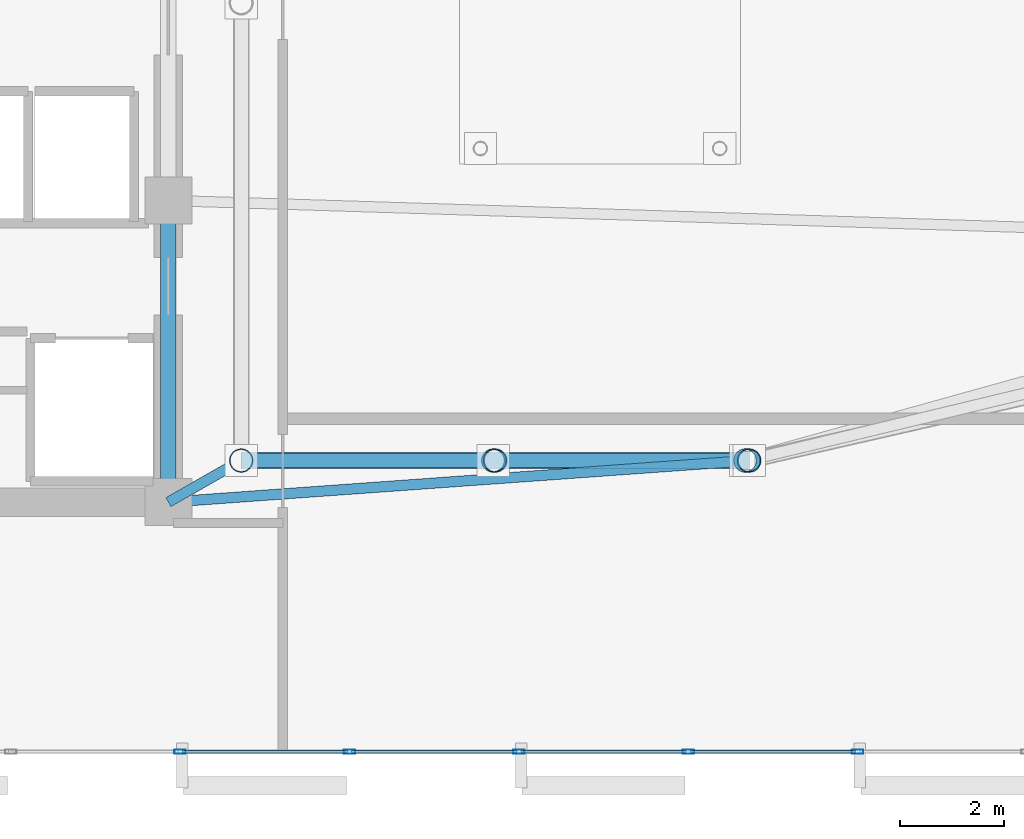
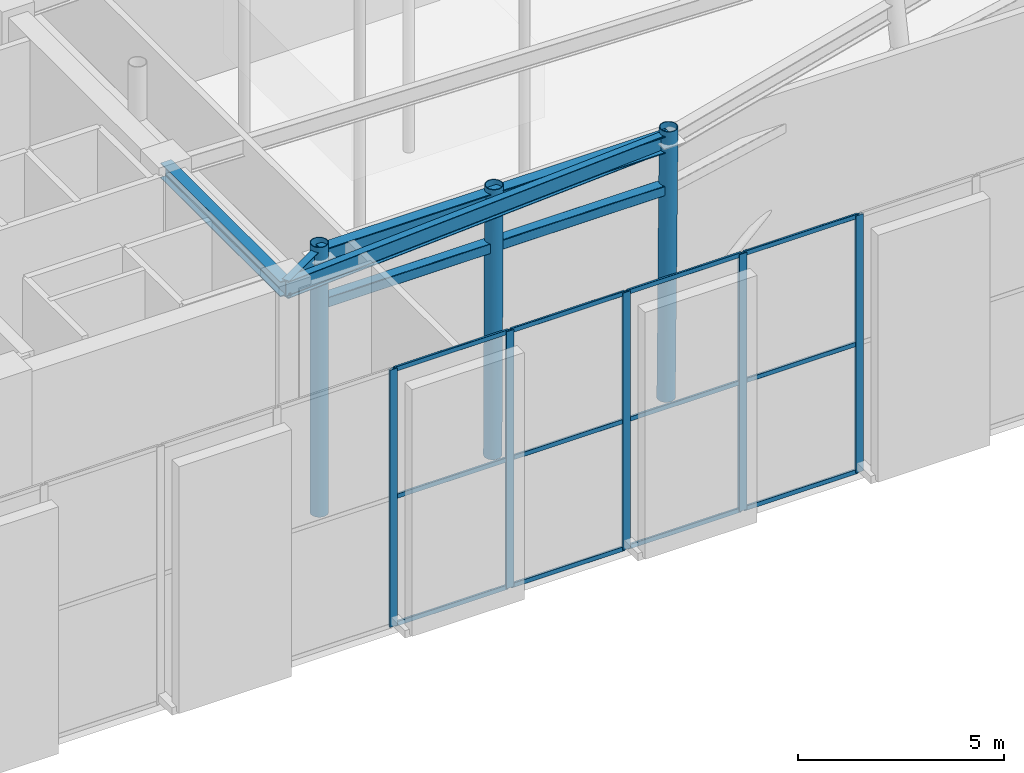
# One storey, part 5 of 22: 21 members, 4 beams, 1 element without a shape of its own.
"""IFC4 building model written with IfcOpenShell, lengths in metres."""

from ifc_helpers import new_model, si_unit, direction, frame, origin, origin_2d, place, context, subcontext, project, spatial, hollow_rectangle, hollow_circle, i_section, extrude, material, layer, layer_set, material_profile, profile_set, type_object, element, aggregate, save


model = new_model("IFC4")

# Units and contexts
model_context = context("Model", 3, precision=1e-05, world=origin(), true_north=direction((0.0, 1.0)))
body_context = subcontext(model_context, "Body", "Model", "MODEL_VIEW")
ifc_project = project(units=[si_unit("LENGTHUNIT", "METRE"), si_unit("AREAUNIT", "SQUARE_METRE"), si_unit("VOLUMEUNIT", "CUBIC_METRE"), si_unit("PLANEANGLEUNIT", "RADIAN"), si_unit("MASSUNIT", "GRAM", prefix="KILO")], contexts=[model_context])

# Site, building, storey
site_placement = place(None, origin())
site = spatial("IfcSite", under=ifc_project, at=site_placement, CompositionType="ELEMENT")
building_placement = place(site_placement, origin())
building = spatial("IfcBuilding", under=site, at=building_placement, Name="An Khanh Terracotta Commons", CompositionType="ELEMENT")
storey_placement = place(building_placement, frame((0.0, 0.0, 300.39990234375)))
storey = spatial("IfcBuildingStorey", under=building, at=storey_placement, Name="L78 Crown Damper Chamber", CompositionType="ELEMENT", Elevation=300.39990234375)

# Beams
ifc_material_1 = material(Name="Steel S355J2", Category="steel")
ifc_material_profile_1 = material_profile(ifc_material_1, i_section(OverallWidth=0.300048828125, OverallDepth=0.449951171875, WebThickness=0.013916015625, FlangeThickness=0.02587890625, FilletRadius=0.027099609375, at=origin_2d()), Name="HEB450")
ifc_profile_set_1 = profile_set([ifc_material_profile_1], Name="Steel S355J2")
beam_type_1 = type_object("IfcBeamType", Name="BM-HEB450", PredefinedType="BEAM", material=ifc_profile_set_1)
beam_1_placement = place(storey_placement, frame((37.199951171875, 14.39990234375, 7.155029296875), z_axis=(0.0, 1.0, 0.0), x_axis=(-1.0, 0.0, 0.0)))
element("IfcBeam", 1, at=beam_1_placement, inside=storey, type_object=beam_type_1, Name="L78 Crown Damper Chamber Core East Coupling Girder 1", PredefinedType="BEAM", context=body_context, shape_type="SweptSolid", body=[
    extrude(i_section(OverallWidth=0.300048828125, OverallDepth=0.449951171875, WebThickness=0.013916015625, FlangeThickness=0.02587890625, FilletRadius=0.027099609375, at=origin_2d()), origin(), (0.0, 0.0, 1.0), 5.800048828125),
])
ifc_material_profile_2 = material_profile(ifc_material_1, i_section(OverallWidth=0.300048828125, OverallDepth=0.5, WebThickness=0.014404296875, FlangeThickness=0.028076171875, FilletRadius=0.027099609375, at=origin_2d()), Name="HEB500")
ifc_profile_set_2 = profile_set([ifc_material_profile_2], Name="Steel S355J2")
beam_type_2 = type_object("IfcBeamType", Name="BM-HEB500", PredefinedType="BEAM", material=ifc_profile_set_2)
beam_2_placement = place(storey_placement, frame((38.60009765625, 15.199951171875, 7.130126953125), z_axis=(1.0, 0.0, 0.0), x_axis=(0.0, 1.0, 0.0)))
element("IfcBeam", 2, at=beam_2_placement, inside=storey, type_object=beam_type_2, Name="L78 Crown Damper Chamber CROWN FRAME Ring Beam 1", PredefinedType="BEAM", context=body_context, shape_type="SweptSolid", body=[
    extrude(i_section(OverallWidth=0.300048828125, OverallDepth=0.5, WebThickness=0.014404296875, FlangeThickness=0.028076171875, FilletRadius=0.027099609375, at=origin_2d()), origin(), (0.0, 0.0, 1.0), 9.77001953125),
])
ifc_material_profile_3 = material_profile(ifc_material_1, i_section(OverallWidth=0.199951171875, OverallDepth=0.5, WebThickness=0.01025390625, FlangeThickness=0.01611328125, FilletRadius=0.02099609375, at=origin_2d()), Name="IPE500")
ifc_profile_set_3 = profile_set([ifc_material_profile_3], Name="Steel S355J2")
beam_type_3 = type_object("IfcBeamType", Name="BM-IPE500", PredefinedType="BEAM", material=ifc_profile_set_3)
beam_3_placement = place(storey_placement, frame((37.199951171875, 14.39990234375, 7.130126953125), z_axis=(0.86825245861, 0.496122634152, 0.0), x_axis=(-0.496122634152, 0.86825245861, 0.0)))
element("IfcBeam", 3, at=beam_3_placement, inside=storey, type_object=beam_type_3, Name="L78 Crown Damper Chamber Crown Radial Tie Beam 1", PredefinedType="BEAM", context=body_context, shape_type="SweptSolid", body=[
    extrude(i_section(OverallWidth=0.199951171875, OverallDepth=0.5, WebThickness=0.01025390625, FlangeThickness=0.01611328125, FilletRadius=0.02099609375, at=origin_2d()), origin(), (0.0, 0.0, 1.0), 1.612548828125),
])
beam_4_placement = place(storey_placement, frame((37.199951171875, 14.39990234375, 7.130126953125), z_axis=(0.997444848135, 0.071440709185, 0.0), x_axis=(-0.071440709185, 0.997444848135, 0.0)))
element("IfcBeam", 4, at=beam_4_placement, inside=storey, type_object=beam_type_3, Name="L78 Crown Damper Chamber Crown Radial Tie Beam 2", PredefinedType="BEAM", context=body_context, shape_type="SweptSolid", body=[
    extrude(i_section(OverallWidth=0.199951171875, OverallDepth=0.5, WebThickness=0.01025390625, FlangeThickness=0.01611328125, FilletRadius=0.02099609375, at=origin_2d()), origin(), (0.0, 0.0, 1.0), 11.19873046875),
])

# Members
ifc_material_2 = material(Name="Steel S460ML", Category="steel")
ifc_material_profile_4 = material_profile(ifc_material_2, hollow_circle(Radius=0.228515625, WallThickness=0.02001953125, at=origin_2d()), Name="CHS457x20")
ifc_profile_set_4 = profile_set([ifc_material_profile_4], Name="Steel S460ML")
member_type_1 = type_object("IfcMemberType", Name="CROWN FRAME RIB CHS457", PredefinedType="STRUT", material=ifc_profile_set_4)
for number, where, z_axis, x_axis, name in (
    (5, (38.60009765625, 15.199951171875, -0.449951171875), (0.0, 0.0, 1.0), (1.0, 0.0, 0.0), "L78 Crown Damper Chamber CROWN FRAME Corner Raking Rib 1"),
    (6, (43.448974609375, 15.199951171875, -0.449951171875), (0.004533572647, 0.0, 0.999989723307), (0.0, 1.0, 0.0), "L78 Crown Damper Chamber CROWN FRAME Facet Strut 1"),
):
    element("IfcMember", number, at=place(storey_placement, frame(where, z_axis=z_axis, x_axis=x_axis)), inside=storey, type_object=member_type_1, Name=name, PredefinedType="STRUT", context=body_context, shape_type="SweptSolid", body=[
        extrude(hollow_circle(Radius=0.228515625, WallThickness=0.02001953125, at=origin_2d()), origin(), (0.0, 0.0, 1.0), 7.969970703125),
    ])
member_1_placement = place(storey_placement, frame((48.298095703125, 15.199951171875, -0.449951171875), z_axis=(0.009036236969, 0.0, 0.999959172377), x_axis=(0.0, 1.0, 0.0)))
element("IfcMember", 7, at=member_1_placement, inside=storey, type_object=member_type_1, Name="L78 Crown Damper Chamber CROWN FRAME Corner Raking Rib 2", PredefinedType="STRUT", context=body_context, shape_type="SweptSolid", body=[
    extrude(hollow_circle(Radius=0.228515625, WallThickness=0.02001953125, at=origin_2d()), origin(), (0.0, 0.0, 1.0), 7.97021484375),
])
ifc_material_profile_5 = material_profile(ifc_material_2, hollow_rectangle(XDim=0.300048828125, YDim=0.300048828125, WallThickness=0.01611328125, InnerFilletRadius=0.01611328125, OuterFilletRadius=0.031982421875, at=origin_2d()), Name="SHS300x300x16")
ifc_profile_set_5 = profile_set([ifc_material_profile_5], Name="Steel S460ML")
member_type_2 = type_object("IfcMemberType", Name="CROWN FRAME RING SHS300", PredefinedType="CHORD", material=ifc_profile_set_5)
member_2_placement = place(storey_placement, frame((38.60009765625, 15.199951171875, 5.76708984375), z_axis=(1.0, 0.0, 0.0), x_axis=(0.0, 1.0, 0.0)))
element("IfcMember", 8, at=member_2_placement, inside=storey, type_object=member_type_2, Name="L78 Crown Damper Chamber CROWN FRAME Sill Ring Chord 1", PredefinedType="CHORD", context=body_context, shape_type="SweptSolid", body=[
    extrude(hollow_rectangle(XDim=0.300048828125, YDim=0.300048828125, WallThickness=0.01611328125, InnerFilletRadius=0.01611328125, OuterFilletRadius=0.031982421875, at=origin_2d()), origin(), (0.0, 0.0, 1.0), 9.75390625),
])

# Curtain wall, members
ifc_material_3 = material(Name="Anodised Aluminium 6063-T6", Category="aluminium")
ifc_layer = layer(ifc_material_3, 0.25, Name="Anodised Aluminium 6063-T6")
ifc_layer_set = layer_set([ifc_layer], Name="Anodised Aluminium 6063-T6")
curtain_wall_type = type_object("IfcCurtainWallType", Name="CW-SYS-05", PredefinedType="USERDEFINED", material=ifc_layer_set)
curtain_wall_placement = place(storey_placement, origin())
curtain_wall = element("IfcCurtainWall", 9, at=curtain_wall_placement, inside=storey, type_object=curtain_wall_type, Name="L78 Crown Damper Chamber CW-05 Unitised Curtain Wall CW-L78-04", ObjectType="UNITISED CURTAIN WALL", PredefinedType="USERDEFINED")
ifc_material_profile_6 = material_profile(ifc_material_3, hollow_rectangle(XDim=0.080078125, YDim=0.219970703125, WallThickness=0.0048828125, InnerFilletRadius=0.0048828125, OuterFilletRadius=0.010009765625, at=origin_2d()), Name="RHS220x80x5")
ifc_profile_set_6 = profile_set([ifc_material_profile_6], Name="Anodised Aluminium 6063-T6")
member_type_3 = type_object("IfcMemberType", Name="CWM-RHS220x80x5", PredefinedType="MULLION", material=ifc_profile_set_6)
member_3_placement = place(storey_placement, frame((37.42724609375, 9.60009765625, 0.0), z_axis=(0.0, 0.0, 1.0), x_axis=(0.0, 1.0, 0.0)))
member_3 = element("IfcMember", 10, at=member_3_placement, type_object=member_type_3, Name="CW-05 mullion 5", PredefinedType="MULLION", context=body_context, shape_type="SweptSolid", body=[
    extrude(hollow_rectangle(XDim=0.080078125, YDim=0.219970703125, WallThickness=0.0048828125, InnerFilletRadius=0.0048828125, OuterFilletRadius=0.010009765625, at=origin_2d()), origin(), (0.0, 0.0, 1.0), 7.60009765625),
])
member_4_placement = place(storey_placement, frame((40.68408203125, 9.60009765625, 0.0), z_axis=(0.0, 0.0, 1.0), x_axis=(0.0, 1.0, 0.0)))
member_4 = element("IfcMember", 11, at=member_4_placement, type_object=member_type_3, Name="CW-05 mullion 6", PredefinedType="MULLION", context=body_context, shape_type="SweptSolid", body=[
    extrude(hollow_rectangle(XDim=0.080078125, YDim=0.219970703125, WallThickness=0.0048828125, InnerFilletRadius=0.0048828125, OuterFilletRadius=0.010009765625, at=origin_2d()), origin(), (0.0, 0.0, 1.0), 7.60009765625),
])
member_5_placement = place(storey_placement, frame((43.94091796875, 9.60009765625, 0.0), z_axis=(0.0, 0.0, 1.0), x_axis=(0.0, 1.0, 0.0)))
member_5 = element("IfcMember", 12, at=member_5_placement, type_object=member_type_3, Name="CW-05 mullion 7", PredefinedType="MULLION", context=body_context, shape_type="SweptSolid", body=[
    extrude(hollow_rectangle(XDim=0.080078125, YDim=0.219970703125, WallThickness=0.0048828125, InnerFilletRadius=0.0048828125, OuterFilletRadius=0.010009765625, at=origin_2d()), origin(), (0.0, 0.0, 1.0), 7.60009765625),
])
member_6_placement = place(storey_placement, frame((47.19775390625, 9.60009765625, 0.0), z_axis=(0.0, 0.0, 1.0), x_axis=(0.0, 1.0, 0.0)))
member_6 = element("IfcMember", 13, at=member_6_placement, type_object=member_type_3, Name="CW-05 mullion 8", PredefinedType="MULLION", context=body_context, shape_type="SweptSolid", body=[
    extrude(hollow_rectangle(XDim=0.080078125, YDim=0.219970703125, WallThickness=0.0048828125, InnerFilletRadius=0.0048828125, OuterFilletRadius=0.010009765625, at=origin_2d()), origin(), (0.0, 0.0, 1.0), 7.60009765625),
])
member_7_placement = place(storey_placement, frame((50.45458984375, 9.60009765625, 0.0), z_axis=(0.0, 0.0, 1.0), x_axis=(0.0, 1.0, 0.0)))
member_7 = element("IfcMember", 14, at=member_7_placement, type_object=member_type_3, Name="CW-05 mullion 9", PredefinedType="MULLION", context=body_context, shape_type="SweptSolid", body=[
    extrude(hollow_rectangle(XDim=0.080078125, YDim=0.219970703125, WallThickness=0.0048828125, InnerFilletRadius=0.0048828125, OuterFilletRadius=0.010009765625, at=origin_2d()), origin(), (0.0, 0.0, 1.0), 7.60009765625),
])
ifc_material_profile_7 = material_profile(ifc_material_3, hollow_rectangle(XDim=0.06005859375, YDim=0.135009765625, WallThickness=0.003662109375, InnerFilletRadius=0.003662109375, OuterFilletRadius=0.007080078125, at=origin_2d()), Name="RHS135x60x3.6")
ifc_profile_set_7 = profile_set([ifc_material_profile_7], Name="Anodised Aluminium 6063-T6")
member_type_4 = type_object("IfcMemberType", Name="CWT-RHS135x60x3.6", PredefinedType="USERDEFINED", material=ifc_profile_set_7)
member_8_placement = place(storey_placement, frame((37.46728515625, 9.60009765625, 0.030029296875), z_axis=(1.0, 0.0, 0.0), x_axis=(0.0, 1.0, 0.0)))
member_8 = element("IfcMember", 15, at=member_8_placement, type_object=member_type_4, Name="CW-05 transom 5.1", ObjectType="TRANSOM", PredefinedType="USERDEFINED", context=body_context, shape_type="SweptSolid", body=[
    extrude(hollow_rectangle(XDim=0.06005859375, YDim=0.135009765625, WallThickness=0.003662109375, InnerFilletRadius=0.003662109375, OuterFilletRadius=0.007080078125, at=origin_2d()), origin(), (0.0, 0.0, 1.0), 3.1767578125),
])
member_9_placement = place(storey_placement, frame((37.46728515625, 9.60009765625, 3.800048828125), z_axis=(1.0, 0.0, 0.0), x_axis=(0.0, 1.0, 0.0)))
member_9 = element("IfcMember", 16, at=member_9_placement, type_object=member_type_4, Name="CW-05 transom 5.2", ObjectType="TRANSOM", PredefinedType="USERDEFINED", context=body_context, shape_type="SweptSolid", body=[
    extrude(hollow_rectangle(XDim=0.06005859375, YDim=0.135009765625, WallThickness=0.003662109375, InnerFilletRadius=0.003662109375, OuterFilletRadius=0.007080078125, at=origin_2d()), origin(), (0.0, 0.0, 1.0), 3.1767578125),
])
member_10_placement = place(storey_placement, frame((37.46728515625, 9.60009765625, 7.570068359375), z_axis=(1.0, 0.0, 0.0), x_axis=(0.0, 1.0, 0.0)))
member_10 = element("IfcMember", 17, at=member_10_placement, type_object=member_type_4, Name="CW-05 transom 5.3", ObjectType="TRANSOM", PredefinedType="USERDEFINED", context=body_context, shape_type="SweptSolid", body=[
    extrude(hollow_rectangle(XDim=0.06005859375, YDim=0.135009765625, WallThickness=0.003662109375, InnerFilletRadius=0.003662109375, OuterFilletRadius=0.007080078125, at=origin_2d()), origin(), (0.0, 0.0, 1.0), 3.1767578125),
])
member_11_placement = place(storey_placement, frame((40.72412109375, 9.60009765625, 0.030029296875), z_axis=(1.0, 0.0, 0.0), x_axis=(0.0, 1.0, 0.0)))
member_11 = element("IfcMember", 18, at=member_11_placement, type_object=member_type_4, Name="CW-05 transom 6.1", ObjectType="TRANSOM", PredefinedType="USERDEFINED", context=body_context, shape_type="SweptSolid", body=[
    extrude(hollow_rectangle(XDim=0.06005859375, YDim=0.135009765625, WallThickness=0.003662109375, InnerFilletRadius=0.003662109375, OuterFilletRadius=0.007080078125, at=origin_2d()), origin(), (0.0, 0.0, 1.0), 3.1767578125),
])
member_12_placement = place(storey_placement, frame((40.72412109375, 9.60009765625, 3.800048828125), z_axis=(1.0, 0.0, 0.0), x_axis=(0.0, 1.0, 0.0)))
member_12 = element("IfcMember", 19, at=member_12_placement, type_object=member_type_4, Name="CW-05 transom 6.2", ObjectType="TRANSOM", PredefinedType="USERDEFINED", context=body_context, shape_type="SweptSolid", body=[
    extrude(hollow_rectangle(XDim=0.06005859375, YDim=0.135009765625, WallThickness=0.003662109375, InnerFilletRadius=0.003662109375, OuterFilletRadius=0.007080078125, at=origin_2d()), origin(), (0.0, 0.0, 1.0), 3.1767578125),
])
member_13_placement = place(storey_placement, frame((40.72412109375, 9.60009765625, 7.570068359375), z_axis=(1.0, 0.0, 0.0), x_axis=(0.0, 1.0, 0.0)))
member_13 = element("IfcMember", 20, at=member_13_placement, type_object=member_type_4, Name="CW-05 transom 6.3", ObjectType="TRANSOM", PredefinedType="USERDEFINED", context=body_context, shape_type="SweptSolid", body=[
    extrude(hollow_rectangle(XDim=0.06005859375, YDim=0.135009765625, WallThickness=0.003662109375, InnerFilletRadius=0.003662109375, OuterFilletRadius=0.007080078125, at=origin_2d()), origin(), (0.0, 0.0, 1.0), 3.1767578125),
])
member_14_placement = place(storey_placement, frame((43.98095703125, 9.60009765625, 0.030029296875), z_axis=(1.0, 0.0, 0.0), x_axis=(0.0, 1.0, 0.0)))
member_14 = element("IfcMember", 21, at=member_14_placement, type_object=member_type_4, Name="CW-05 transom 7.1", ObjectType="TRANSOM", PredefinedType="USERDEFINED", context=body_context, shape_type="SweptSolid", body=[
    extrude(hollow_rectangle(XDim=0.06005859375, YDim=0.135009765625, WallThickness=0.003662109375, InnerFilletRadius=0.003662109375, OuterFilletRadius=0.007080078125, at=origin_2d()), origin(), (0.0, 0.0, 1.0), 3.1767578125),
])
member_15_placement = place(storey_placement, frame((43.98095703125, 9.60009765625, 3.800048828125), z_axis=(1.0, 0.0, 0.0), x_axis=(0.0, 1.0, 0.0)))
member_15 = element("IfcMember", 22, at=member_15_placement, type_object=member_type_4, Name="CW-05 transom 7.2", ObjectType="TRANSOM", PredefinedType="USERDEFINED", context=body_context, shape_type="SweptSolid", body=[
    extrude(hollow_rectangle(XDim=0.06005859375, YDim=0.135009765625, WallThickness=0.003662109375, InnerFilletRadius=0.003662109375, OuterFilletRadius=0.007080078125, at=origin_2d()), origin(), (0.0, 0.0, 1.0), 3.1767578125),
])
member_16_placement = place(storey_placement, frame((43.98095703125, 9.60009765625, 7.570068359375), z_axis=(1.0, 0.0, 0.0), x_axis=(0.0, 1.0, 0.0)))
member_16 = element("IfcMember", 23, at=member_16_placement, type_object=member_type_4, Name="CW-05 transom 7.3", ObjectType="TRANSOM", PredefinedType="USERDEFINED", context=body_context, shape_type="SweptSolid", body=[
    extrude(hollow_rectangle(XDim=0.06005859375, YDim=0.135009765625, WallThickness=0.003662109375, InnerFilletRadius=0.003662109375, OuterFilletRadius=0.007080078125, at=origin_2d()), origin(), (0.0, 0.0, 1.0), 3.1767578125),
])
member_17_placement = place(storey_placement, frame((47.23779296875, 9.60009765625, 0.030029296875), z_axis=(1.0, 0.0, 0.0), x_axis=(0.0, 1.0, 0.0)))
member_17 = element("IfcMember", 24, at=member_17_placement, type_object=member_type_4, Name="CW-05 transom 8.1", ObjectType="TRANSOM", PredefinedType="USERDEFINED", context=body_context, shape_type="SweptSolid", body=[
    extrude(hollow_rectangle(XDim=0.06005859375, YDim=0.135009765625, WallThickness=0.003662109375, InnerFilletRadius=0.003662109375, OuterFilletRadius=0.007080078125, at=origin_2d()), origin(), (0.0, 0.0, 1.0), 3.1767578125),
])
member_18_placement = place(storey_placement, frame((47.23779296875, 9.60009765625, 3.800048828125), z_axis=(1.0, 0.0, 0.0), x_axis=(0.0, 1.0, 0.0)))
member_18 = element("IfcMember", 25, at=member_18_placement, type_object=member_type_4, Name="CW-05 transom 8.2", ObjectType="TRANSOM", PredefinedType="USERDEFINED", context=body_context, shape_type="SweptSolid", body=[
    extrude(hollow_rectangle(XDim=0.06005859375, YDim=0.135009765625, WallThickness=0.003662109375, InnerFilletRadius=0.003662109375, OuterFilletRadius=0.007080078125, at=origin_2d()), origin(), (0.0, 0.0, 1.0), 3.1767578125),
])
member_19_placement = place(storey_placement, frame((47.23779296875, 9.60009765625, 7.570068359375), z_axis=(1.0, 0.0, 0.0), x_axis=(0.0, 1.0, 0.0)))
member_19 = element("IfcMember", 26, at=member_19_placement, type_object=member_type_4, Name="CW-05 transom 8.3", ObjectType="TRANSOM", PredefinedType="USERDEFINED", context=body_context, shape_type="SweptSolid", body=[
    extrude(hollow_rectangle(XDim=0.06005859375, YDim=0.135009765625, WallThickness=0.003662109375, InnerFilletRadius=0.003662109375, OuterFilletRadius=0.007080078125, at=origin_2d()), origin(), (0.0, 0.0, 1.0), 3.1767578125),
])
aggregate(curtain_wall, [member_3, member_4, member_5, member_6, member_7, member_8, member_9, member_10, member_11, member_12, member_13, member_14, member_15, member_16, member_17, member_18, member_19])

save(model, "model.ifc")
